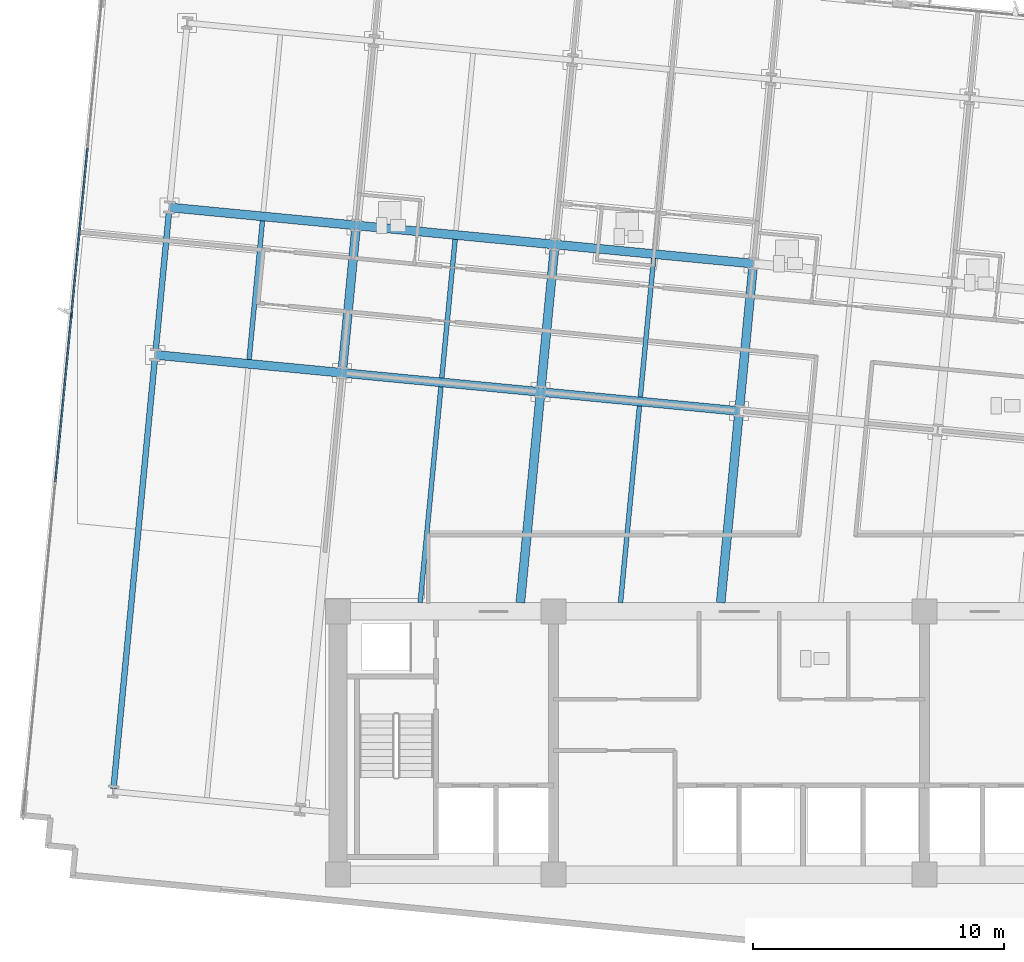
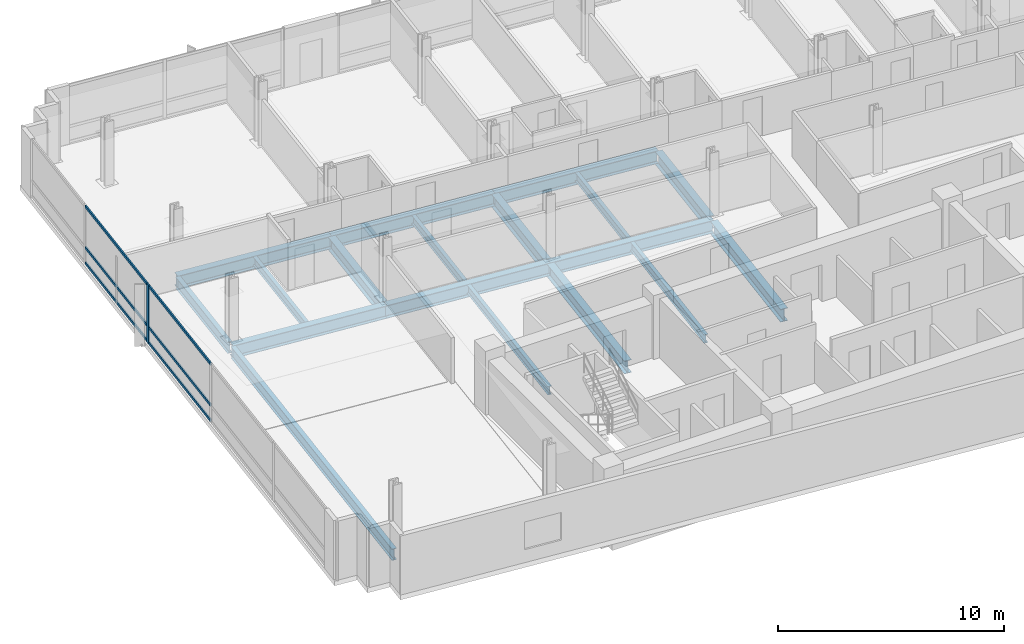
# One storey, part 4 of 17: 18 beams, 7 members, 1 element without a shape of its own.
"""IFC4 building model written with IfcOpenShell, lengths in metres."""

from ifc_helpers import new_model, si_unit, direction, frame, origin, origin_2d, place, context, subcontext, project, spatial, rectangle, i_section, extrude, material, material_profile, profile_set, type_object, element, aggregate, save


model = new_model("IFC4")

# Units and contexts
model_context = context("Model", 3, precision=1e-05, world=origin(), true_north=direction((0.0, 1.0)))
body_context = subcontext(model_context, "Body", "Model", "MODEL_VIEW")
ifc_project = project(units=[si_unit("LENGTHUNIT", "METRE"), si_unit("AREAUNIT", "SQUARE_METRE"), si_unit("VOLUMEUNIT", "CUBIC_METRE"), si_unit("PLANEANGLEUNIT", "RADIAN"), si_unit("MASSUNIT", "GRAM", prefix="KILO")], contexts=[model_context])

# Site, building, storey
site_placement = place(None, origin())
site = spatial("IfcSite", under=ifc_project, at=site_placement, CompositionType="ELEMENT")
building_placement = place(site_placement, origin())
building = spatial("IfcBuilding", under=site, at=building_placement, Name="Solmavex Isthmus Hotel", CompositionType="ELEMENT")
storey_placement = place(building_placement, frame((0.0, 0.0, 142.800048828125)))
storey = spatial("IfcBuildingStorey", under=building, at=storey_placement, Name="L38", CompositionType="ELEMENT", Elevation=142.800048828125)

# Beams
ifc_material_1 = material(Name="Steel ASTM A992 Grade 50", Category="steel")
ifc_material_profile_1 = material_profile(ifc_material_1, i_section(OverallWidth=0.354736328125, OverallDepth=0.695556640625, WebThickness=0.015380859375, FlangeThickness=0.02490234375, FilletRadius=0.017822265625, at=origin_2d()), Name="W27X146")
ifc_profile_set_1 = profile_set([ifc_material_profile_1], Name="Steel ASTM A992 Grade 50")
beam_type_1 = type_object("IfcBeamType", Name="BM-BG-W27X146", PredefinedType="BEAM", material=ifc_profile_set_1)
beam_1_placement = place(storey_placement, frame((-23.291015625, 7.733154296875, -0.60791015625), z_axis=(0.995395279593, -0.095855293875, 0.0), x_axis=(0.095855293875, 0.995395279593, 0.0)))
element("IfcBeam", 1, at=beam_1_placement, inside=storey, type_object=beam_type_1, Name="Floor Girder L38-UG03", PredefinedType="BEAM", context=body_context, shape_type="SweptSolid", body=[
    extrude(i_section(OverallWidth=0.354736328125, OverallDepth=0.695556640625, WebThickness=0.015380859375, FlangeThickness=0.02490234375, FilletRadius=0.017822265625, at=origin_2d()), origin(), (0.0, 0.0, 1.0), 7.488037109375),
])
beam_2_placement = place(storey_placement, frame((-15.83740234375, 7.015380859375, -0.60791015625), z_axis=(0.995397158178, -0.095835783981, 0.0), x_axis=(0.095835783981, 0.995397158178, 0.0)))
element("IfcBeam", 2, at=beam_2_placement, inside=storey, type_object=beam_type_1, Name="Floor Girder L38-UG04", PredefinedType="BEAM", context=body_context, shape_type="SweptSolid", body=[
    extrude(i_section(OverallWidth=0.354736328125, OverallDepth=0.695556640625, WebThickness=0.015380859375, FlangeThickness=0.02490234375, FilletRadius=0.017822265625, at=origin_2d()), origin(), (0.0, 0.0, 1.0), 7.955810546875),
])
beam_3_placement = place(storey_placement, frame((-7.918212890625, 6.2529296875, -0.60791015625), z_axis=(0.995394512348, -0.095863260885, 0.0), x_axis=(0.095863260885, 0.995394512348, 0.0)))
element("IfcBeam", 3, at=beam_3_placement, inside=storey, type_object=beam_type_1, Name="Floor Girder L38-UG05", PredefinedType="BEAM", context=body_context, shape_type="SweptSolid", body=[
    extrude(i_section(OverallWidth=0.354736328125, OverallDepth=0.695556640625, WebThickness=0.015380859375, FlangeThickness=0.02490234375, FilletRadius=0.017822265625, at=origin_2d()), origin(), (0.0, 0.0, 1.0), 7.9560546875),
])
beam_4_placement = place(storey_placement, frame((-22.724853515625, 13.614013671875, -0.60791015625), z_axis=(0.995395279593, -0.095855293875, 0.0), x_axis=(0.095855293875, 0.995395279593, 0.0)))
element("IfcBeam", 4, at=beam_4_placement, inside=storey, type_object=beam_type_1, Name="Floor Girder L38-UG09", PredefinedType="BEAM", context=body_context, shape_type="SweptSolid", body=[
    extrude(i_section(OverallWidth=0.354736328125, OverallDepth=0.695556640625, WebThickness=0.015380859375, FlangeThickness=0.02490234375, FilletRadius=0.017822265625, at=origin_2d()), origin(), (0.0, 0.0, 1.0), 7.488037109375),
])
for number, where, z_axis, x_axis, name in (
    (5, (-15.271240234375, 12.896240234375, -0.60791015625), (0.995397440011, -0.095832856685, 0.0), (0.095832856685, 0.995397440011, 0.0), "Floor Girder L38-UG10"),
    (6, (-7.351806640625, 12.1337890625, -0.60791015625), (0.995394512348, -0.095863260885, 0.0), (0.095863260885, 0.995394512348, 0.0), "Floor Girder L38-UG11"),
):
    element("IfcBeam", number, at=place(storey_placement, frame(where, z_axis=z_axis, x_axis=x_axis)), inside=storey, type_object=beam_type_1, Name=name, PredefinedType="BEAM", context=body_context, shape_type="SweptSolid", body=[
        extrude(i_section(OverallWidth=0.354736328125, OverallDepth=0.695556640625, WebThickness=0.015380859375, FlangeThickness=0.02490234375, FilletRadius=0.017822265625, at=origin_2d()), origin(), (0.0, 0.0, 1.0), 7.9560546875),
    ])
beam_5_placement = place(storey_placement, frame((-15.820556640625, 7.19189453125, -0.60791015625), z_axis=(0.095838058801, 0.995396939158, 0.0), x_axis=(-0.995396939158, 0.095838058801, 0.0)))
element("IfcBeam", 7, at=beam_5_placement, inside=storey, type_object=beam_type_1, Name="Floor Beam L38-VG25", PredefinedType="BEAM", context=body_context, shape_type="SweptSolid", body=[
    extrude(i_section(OverallWidth=0.354736328125, OverallDepth=0.695556640625, WebThickness=0.015380859375, FlangeThickness=0.02490234375, FilletRadius=0.017822265625, at=origin_2d()), origin(), (0.0, 0.0, 1.0), 5.553466796875),
])
beam_6_placement = place(storey_placement, frame((-8.727294921875, -2.14990234375, -0.60791015625), z_axis=(0.095861573524, 0.995394674851, 0.0), x_axis=(-0.995394674851, 0.095861573524, 0.0)))
element("IfcBeam", 8, at=beam_6_placement, inside=storey, type_object=beam_type_1, Name="Floor Beam L38-VG27", PredefinedType="BEAM", context=body_context, shape_type="SweptSolid", body=[
    extrude(i_section(OverallWidth=0.354736328125, OverallDepth=0.695556640625, WebThickness=0.015380859375, FlangeThickness=0.02490234375, FilletRadius=0.017822265625, at=origin_2d()), origin(), (0.0, 0.0, 1.0), 8.264404296875),
])
beam_7_placement = place(storey_placement, frame((-7.901123046875, 6.429443359375, -0.60791015625), z_axis=(0.095842252862, 0.99539653534, 0.0), x_axis=(-0.99539653534, 0.095842252862, 0.0)))
element("IfcBeam", 9, at=beam_7_placement, inside=storey, type_object=beam_type_1, Name="Floor Beam L38-VG28", PredefinedType="BEAM", context=body_context, shape_type="SweptSolid", body=[
    extrude(i_section(OverallWidth=0.354736328125, OverallDepth=0.695556640625, WebThickness=0.015380859375, FlangeThickness=0.02490234375, FilletRadius=0.017822265625, at=origin_2d()), origin(), (0.0, 0.0, 1.0), 5.55322265625),
])
beam_8_placement = place(storey_placement, frame((-0.734375, -2.14990234375, -0.60791015625), z_axis=(0.095856963455, 0.995395118813, 0.0), x_axis=(-0.995395118813, 0.095856963455, 0.0)))
element("IfcBeam", 10, at=beam_8_placement, inside=storey, type_object=beam_type_1, Name="Floor Beam L38-VG30", PredefinedType="BEAM", context=body_context, shape_type="SweptSolid", body=[
    extrude(i_section(OverallWidth=0.354736328125, OverallDepth=0.695556640625, WebThickness=0.015380859375, FlangeThickness=0.02490234375, FilletRadius=0.017822265625, at=origin_2d()), origin(), (0.0, 0.0, 1.0), 7.498046875),
])
beam_9_placement = place(storey_placement, frame((0.018310546875, 5.6669921875, -0.60791015625), z_axis=(0.095842252862, 0.99539653534, 0.0), x_axis=(-0.99539653534, 0.095842252862, 0.0)))
element("IfcBeam", 11, at=beam_9_placement, inside=storey, type_object=beam_type_1, Name="Floor Beam L38-VG31", PredefinedType="BEAM", context=body_context, shape_type="SweptSolid", body=[
    extrude(i_section(OverallWidth=0.354736328125, OverallDepth=0.695556640625, WebThickness=0.015380859375, FlangeThickness=0.02490234375, FilletRadius=0.017822265625, at=origin_2d()), origin(), (0.0, 0.0, 1.0), 5.55322265625),
])
ifc_material_profile_2 = material_profile(ifc_material_1, i_section(OverallWidth=0.1904296875, OverallDepth=0.456787109375, WebThickness=0.009033203125, FlangeThickness=0.014404296875, FilletRadius=0.0126953125, at=origin_2d()), Name="W18X50")
ifc_profile_set_2 = profile_set([ifc_material_profile_2], Name="Steel ASTM A992 Grade 50")
beam_type_2 = type_object("IfcBeamType", Name="BM-BJ-W18X50", PredefinedType="JOIST", material=ifc_profile_set_2)
beam_10_placement = place(storey_placement, frame((-19.547119140625, 7.55078125, -0.488525390625), z_axis=(0.095842252862, 0.99539653534, 0.0), x_axis=(-0.99539653534, 0.095842252862, 0.0)))
element("IfcBeam", 12, at=beam_10_placement, inside=storey, type_object=beam_type_2, Name="Secondary Floor Joist L38-J02", PredefinedType="JOIST", context=body_context, shape_type="SweptSolid", body=[
    extrude(i_section(OverallWidth=0.1904296875, OverallDepth=0.456787109375, WebThickness=0.009033203125, FlangeThickness=0.014404296875, FilletRadius=0.0126953125, at=origin_2d()), origin(), (0.0, 0.0, 1.0), 5.55322265625),
])
beam_11_placement = place(storey_placement, frame((-12.7236328125, -2.14990234375, -0.488525390625), z_axis=(0.095852279322, 0.995395569886, 0.0), x_axis=(-0.995395569886, 0.095852279322, 0.0)))
element("IfcBeam", 13, at=beam_11_placement, inside=storey, type_object=beam_type_2, Name="Secondary Floor Joist L38-J04", PredefinedType="JOIST", context=body_context, shape_type="SweptSolid", body=[
    extrude(i_section(OverallWidth=0.1904296875, OverallDepth=0.456787109375, WebThickness=0.009033203125, FlangeThickness=0.014404296875, FilletRadius=0.0126953125, at=origin_2d()), origin(), (0.0, 0.0, 1.0), 8.647216796875),
])
beam_12_placement = place(storey_placement, frame((-11.86083984375, 6.810791015625, -0.488525390625), z_axis=(0.095842252862, 0.99539653534, 0.0), x_axis=(-0.99539653534, 0.095842252862, 0.0)))
element("IfcBeam", 14, at=beam_12_placement, inside=storey, type_object=beam_type_2, Name="Secondary Floor Joist L38-J05", PredefinedType="JOIST", context=body_context, shape_type="SweptSolid", body=[
    extrude(i_section(OverallWidth=0.1904296875, OverallDepth=0.456787109375, WebThickness=0.009033203125, FlangeThickness=0.014404296875, FilletRadius=0.0126953125, at=origin_2d()), origin(), (0.0, 0.0, 1.0), 5.55322265625),
])
beam_13_placement = place(storey_placement, frame((-4.730712890625, -2.14990234375, -0.488525390625), z_axis=(0.09584403416, 0.995396363825, 0.0), x_axis=(-0.995396363825, 0.09584403416, 0.0)))
element("IfcBeam", 15, at=beam_13_placement, inside=storey, type_object=beam_type_2, Name="Secondary Floor Joist L38-J07", PredefinedType="JOIST", context=body_context, shape_type="SweptSolid", body=[
    extrude(i_section(OverallWidth=0.1904296875, OverallDepth=0.456787109375, WebThickness=0.009033203125, FlangeThickness=0.014404296875, FilletRadius=0.0126953125, at=origin_2d()), origin(), (0.0, 0.0, 1.0), 7.88134765625),
])
beam_14_placement = place(storey_placement, frame((-3.94140625, 6.048095703125, -0.488525390625), z_axis=(0.095838058801, 0.995396939158, 0.0), x_axis=(-0.995396939158, 0.095838058801, 0.0)))
element("IfcBeam", 16, at=beam_14_placement, inside=storey, type_object=beam_type_2, Name="Secondary Floor Joist L38-J08", PredefinedType="JOIST", context=body_context, shape_type="SweptSolid", body=[
    extrude(i_section(OverallWidth=0.1904296875, OverallDepth=0.456787109375, WebThickness=0.009033203125, FlangeThickness=0.014404296875, FilletRadius=0.0126953125, at=origin_2d()), origin(), (0.0, 0.0, 1.0), 5.553466796875),
])
ifc_material_profile_3 = material_profile(ifc_material_1, i_section(OverallWidth=0.230224609375, OverallDepth=0.617431640625, WebThickness=0.01318359375, FlangeThickness=0.022216796875, FilletRadius=0.01513671875, at=origin_2d()), Name="W24X94")
ifc_profile_set_3 = profile_set([ifc_material_profile_3], Name="Steel ASTM A992 Grade 50")
beam_type_3 = type_object("IfcBeamType", Name="BM-SP-W24X94", PredefinedType="SPANDREL", material=ifc_profile_set_3)
beam_15_placement = place(storey_placement, frame((-24.957275390625, -9.571533203125, -0.56884765625), z_axis=(0.095840821687, 0.99539667314, 0.0), x_axis=(-0.99539667314, 0.095840821687, 0.0)))
element("IfcBeam", 17, at=beam_15_placement, inside=storey, type_object=beam_type_3, Name="Floor Beam L38-VG21", PredefinedType="SPANDREL", context=body_context, shape_type="SweptSolid", body=[
    extrude(i_section(OverallWidth=0.230224609375, OverallDepth=0.617431640625, WebThickness=0.01318359375, FlangeThickness=0.022216796875, FilletRadius=0.01513671875, at=origin_2d()), origin(), (0.0, 0.0, 1.0), 17.207275390625),
])
beam_16_placement = place(storey_placement, frame((-23.27392578125, 7.90966796875, -0.56884765625), z_axis=(0.095842252862, 0.99539653534, 0.0), x_axis=(-0.99539653534, 0.095842252862, 0.0)))
element("IfcBeam", 18, at=beam_16_placement, inside=storey, type_object=beam_type_3, Name="Floor Beam L38-VG22", PredefinedType="SPANDREL", context=body_context, shape_type="SweptSolid", body=[
    extrude(i_section(OverallWidth=0.230224609375, OverallDepth=0.617431640625, WebThickness=0.01318359375, FlangeThickness=0.022216796875, FilletRadius=0.01513671875, at=origin_2d()), origin(), (0.0, 0.0, 1.0), 5.55322265625),
])

# Curtain wall, members
ifc_material_2 = material(Name="Aluminium alloy 6063-T6", Category="aluminium")
curtain_wall_type = type_object("IfcCurtainWallType", Name="CW-SYS-03", PredefinedType="NOTDEFINED", material=ifc_material_2)
curtain_wall_placement = place(storey_placement, origin())
curtain_wall = element("IfcCurtainWall", 19, at=curtain_wall_placement, inside=storey, type_object=curtain_wall_type, Name="Stick Curtain Wall CWL-L38-W1", PredefinedType="NOTDEFINED")
ifc_material_profile_4 = material_profile(ifc_material_2, rectangle(XDim=0.070068359375, YDim=0.179931640625, at=origin_2d()), Name="CWM-70X180")
ifc_profile_set_4 = profile_set([ifc_material_profile_4], Name="Aluminium alloy 6063-T6")
member_type_1 = type_object("IfcMemberType", Name="CW-SYS-03-MUL", PredefinedType="MULLION", material=ifc_profile_set_4)
member_1_placement = place(storey_placement, frame((-26.63427734375, 9.32080078125, 0.0), z_axis=(0.0, 0.0, 1.0), x_axis=(-0.995396190038, 0.09584583902, 0.0)))
member_1 = element("IfcMember", 20, at=member_1_placement, type_object=member_type_1, Name="CW-03 mullion 4", PredefinedType="MULLION", context=body_context, shape_type="SweptSolid", body=[
    extrude(rectangle(XDim=0.070068359375, YDim=0.179931640625, at=origin_2d()), origin(), (0.0, 0.0, 1.0), 3.18994140625),
])
ifc_material_profile_5 = material_profile(ifc_material_2, rectangle(XDim=0.070068359375, YDim=0.139892578125, at=origin_2d()), Name="CWT-70X140")
ifc_profile_set_5 = profile_set([ifc_material_profile_5], Name="Aluminium alloy 6063-T6")
member_type_2 = type_object("IfcMemberType", Name="CW-SYS-03-TRN", PredefinedType="USERDEFINED", material=ifc_profile_set_5)
member_2_placement = place(storey_placement, frame((-27.27490234375, 2.666748046875, 0.070068359375), z_axis=(0.095857212138, 0.995395094865, 0.0), x_axis=(-0.995395094865, 0.095857212138, 0.0)))
member_2 = element("IfcMember", 21, at=member_2_placement, type_object=member_type_2, Name="CW-03 transom 3.1", ObjectType="TRANSOM", PredefinedType="USERDEFINED", context=body_context, shape_type="SweptSolid", body=[
    extrude(rectangle(XDim=0.070068359375, YDim=0.139892578125, at=origin_2d()), origin(), (0.0, 0.0, 1.0), 6.64990234375),
])
member_3_placement = place(storey_placement, frame((-27.27490234375, 2.666748046875, 0.89990234375), z_axis=(0.095857212138, 0.995395094865, 0.0), x_axis=(-0.995395094865, 0.095857212138, 0.0)))
member_3 = element("IfcMember", 22, at=member_3_placement, type_object=member_type_2, Name="CW-03 transom 3.2", ObjectType="TRANSOM", PredefinedType="USERDEFINED", context=body_context, shape_type="SweptSolid", body=[
    extrude(rectangle(XDim=0.070068359375, YDim=0.139892578125, at=origin_2d()), origin(), (0.0, 0.0, 1.0), 6.64990234375),
])
member_4_placement = place(storey_placement, frame((-27.27490234375, 2.666748046875, 3.119873046875), z_axis=(0.095857212138, 0.995395094865, 0.0), x_axis=(-0.995395094865, 0.095857212138, 0.0)))
member_4 = element("IfcMember", 23, at=member_4_placement, type_object=member_type_2, Name="CW-03 transom 3.3", ObjectType="TRANSOM", PredefinedType="USERDEFINED", context=body_context, shape_type="SweptSolid", body=[
    extrude(rectangle(XDim=0.070068359375, YDim=0.139892578125, at=origin_2d()), origin(), (0.0, 0.0, 1.0), 6.64990234375),
])
member_5_placement = place(storey_placement, frame((-26.630859375, 9.355712890625, 0.070068359375), z_axis=(0.095857212138, 0.995395094865, 0.0), x_axis=(-0.995395094865, 0.095857212138, 0.0)))
member_5 = element("IfcMember", 24, at=member_5_placement, type_object=member_type_2, Name="CW-03 transom 4.1", ObjectType="TRANSOM", PredefinedType="USERDEFINED", context=body_context, shape_type="SweptSolid", body=[
    extrude(rectangle(XDim=0.070068359375, YDim=0.139892578125, at=origin_2d()), origin(), (0.0, 0.0, 1.0), 6.64990234375),
])
member_6_placement = place(storey_placement, frame((-26.630859375, 9.355712890625, 0.89990234375), z_axis=(0.095857212138, 0.995395094865, 0.0), x_axis=(-0.995395094865, 0.095857212138, 0.0)))
member_6 = element("IfcMember", 25, at=member_6_placement, type_object=member_type_2, Name="CW-03 transom 4.2", ObjectType="TRANSOM", PredefinedType="USERDEFINED", context=body_context, shape_type="SweptSolid", body=[
    extrude(rectangle(XDim=0.070068359375, YDim=0.139892578125, at=origin_2d()), origin(), (0.0, 0.0, 1.0), 6.64990234375),
])
member_7_placement = place(storey_placement, frame((-26.630859375, 9.355712890625, 3.119873046875), z_axis=(0.095857212138, 0.995395094865, 0.0), x_axis=(-0.995395094865, 0.095857212138, 0.0)))
member_7 = element("IfcMember", 26, at=member_7_placement, type_object=member_type_2, Name="CW-03 transom 4.3", ObjectType="TRANSOM", PredefinedType="USERDEFINED", context=body_context, shape_type="SweptSolid", body=[
    extrude(rectangle(XDim=0.070068359375, YDim=0.139892578125, at=origin_2d()), origin(), (0.0, 0.0, 1.0), 6.64990234375),
])
aggregate(curtain_wall, [member_1, member_2, member_3, member_4, member_5, member_6, member_7])

save(model, "model.ifc")
